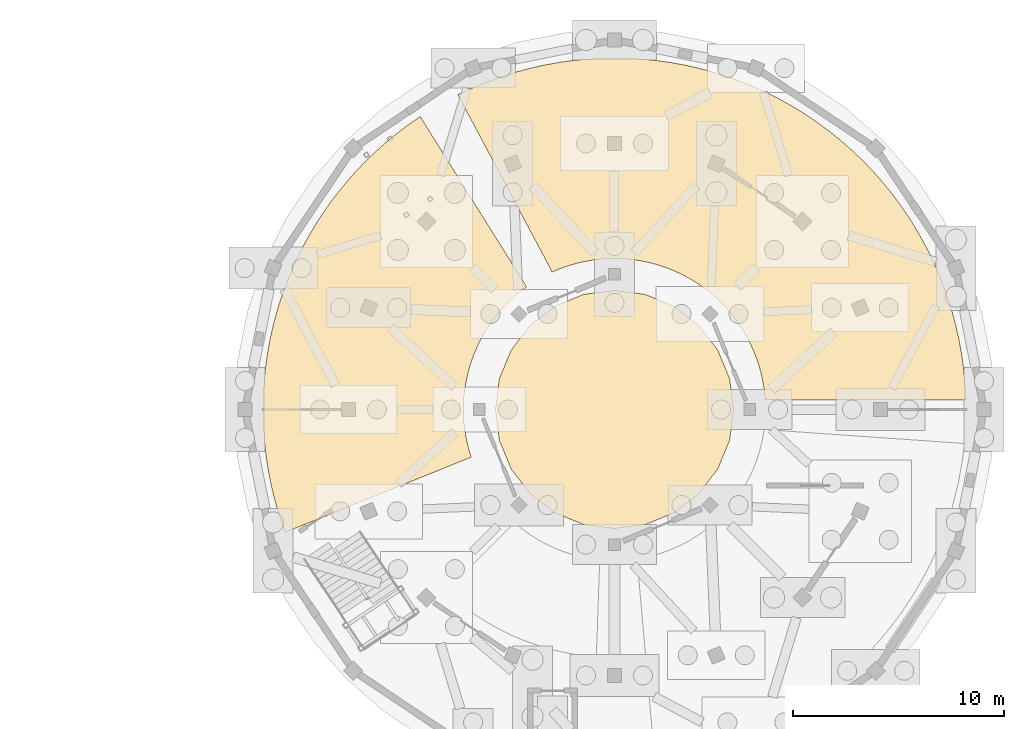
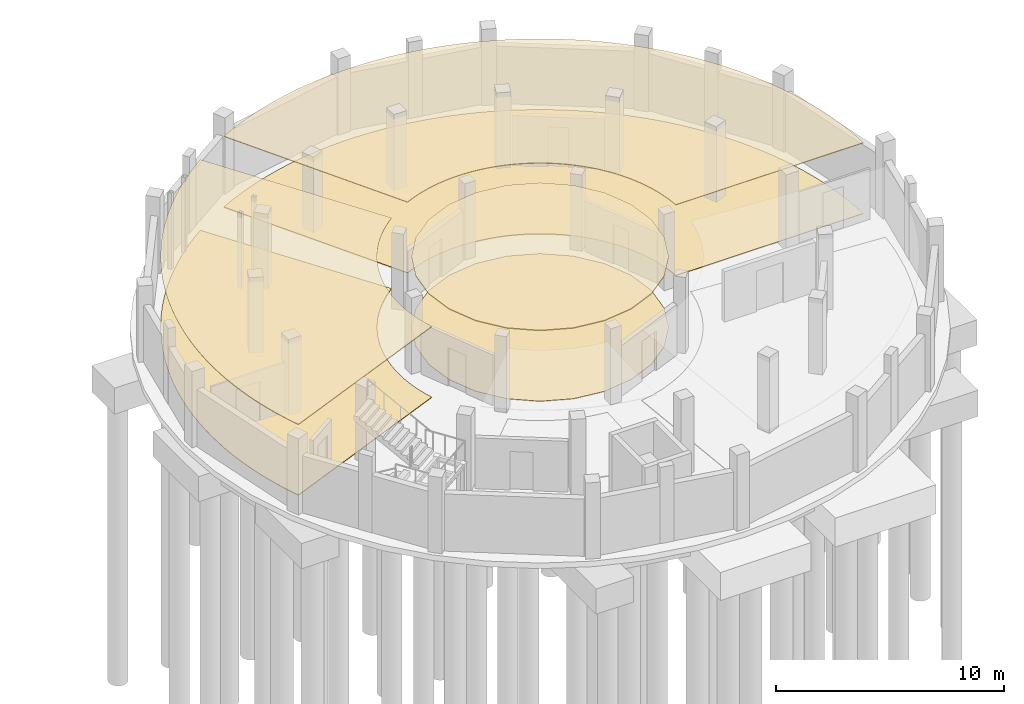
# One storey, part 57 of 58: 6 coverings.
"""IFC4 building model written with IfcOpenShell, lengths in metres."""

from ifc_helpers import new_model, si_unit, direction, frame, origin, place, context, subcontext, project, spatial, polyline, outline, extrude, material, layer, layer_set, type_object, element, save


model = new_model("IFC4")

# Units and contexts
model_context = context("Model", 3, precision=1e-05, world=origin(), true_north=direction((0.0, 1.0)))
body_context = subcontext(model_context, "Body", "Model", "MODEL_VIEW")
ifc_project = project(units=[si_unit("LENGTHUNIT", "METRE"), si_unit("AREAUNIT", "SQUARE_METRE"), si_unit("VOLUMEUNIT", "CUBIC_METRE"), si_unit("PLANEANGLEUNIT", "RADIAN"), si_unit("MASSUNIT", "GRAM", prefix="KILO")], contexts=[model_context])

# Site, building, storey
site_placement = place(None, origin())
site = spatial("IfcSite", under=ifc_project, at=site_placement, CompositionType="ELEMENT")
building_placement = place(site_placement, origin())
building = spatial("IfcBuilding", under=site, at=building_placement, Name="Caldaven Crescent School", CompositionType="ELEMENT")
storey_placement = place(building_placement, frame((0.0, 0.0, -4.080078125)))
storey = spatial("IfcBuildingStorey", under=building, at=storey_placement, Name="B1", CompositionType="ELEMENT", Elevation=-4.080078125)

# Coverings
ifc_material_1 = material(Name="Perforated Pino Radiata acoustic timber baffle ceiling", Category="wood")
ifc_layer_1 = layer(ifc_material_1, 0.0380859375)
ifc_layer_set_1 = layer_set([ifc_layer_1], Name="Perforated Pino Radiata acoustic timber baffle ceiling")
covering_type_1 = type_object("IfcCoveringType", Name="COV-CLG2", PredefinedType="CEILING", material=ifc_layer_set_1)
covering_1_placement = place(storey_placement, frame((0.0, 0.0, 3.781982421875)))
element("IfcCovering", 1, at=covering_1_placement, inside=storey, type_object=covering_type_1, Name="CLG-B1-001", PredefinedType="CEILING", context=body_context, shape_type="SweptSolid", body=[
    extrude(outline(polyline([(145.084228515625, 113.4052734375), (145.201171875, 113.46484375), (145.727783203125, 113.71044921875), (146.2626953125, 113.9375), (146.805419921875, 114.145751953125), (147.35498046875, 114.335205078125), (147.91064453125, 114.5048828125), (148.471923828125, 114.655517578125), (149.038330078125, 114.7861328125), (149.60888671875, 114.89697265625), (150.1826171875, 114.98779296875), (150.759521484375, 115.05859375), (151.338623046875, 115.109375), (151.9189453125, 115.139892578125), (152.5, 115.14990234375), (153.0810546875, 115.139892578125), (153.661376953125, 115.109375), (154.240478515625, 115.05859375), (154.8173828125, 114.98779296875), (155.39111328125, 114.89697265625), (155.961669921875, 114.7861328125), (156.528076171875, 114.655517578125), (157.08935546875, 114.5048828125), (157.64501953125, 114.335205078125), (158.194580078125, 114.145751953125), (158.7373046875, 113.9375), (159.272216796875, 113.71044921875), (159.798828125, 113.46484375), (160.316650390625, 113.200927734375), (160.824951171875, 112.919189453125), (161.322998046875, 112.619873046875), (161.810546875, 112.303466796875), (162.28662109375, 111.97021484375), (162.750732421875, 111.620361328125), (163.202392578125, 111.254638671875), (163.640869140625, 110.873291015625), (164.066162109375, 110.476806640625), (164.476806640625, 110.066162109375), (164.873291015625, 109.640869140625), (165.254638671875, 109.202392578125), (165.620361328125, 108.750732421875), (165.97021484375, 108.28662109375), (166.303466796875, 107.810546875), (166.619873046875, 107.322998046875), (166.919189453125, 106.824951171875), (167.200927734375, 106.316650390625), (167.46484375, 105.798828125), (167.71044921875, 105.272216796875), (167.9375, 104.7373046875), (168.145751953125, 104.194580078125), (168.335205078125, 103.64501953125), (168.5048828125, 103.08935546875), (168.655517578125, 102.528076171875), (168.7861328125, 101.961669921875), (168.89697265625, 101.39111328125), (168.98779296875, 100.8173828125), (169.05859375, 100.240478515625), (169.109375, 99.661376953125), (169.139892578125, 99.0810546875), (169.14208984375, 98.949951171875), (159.63525390625, 98.949951171875), (159.633056640625, 98.990966796875), (159.632080078125, 99.006591796875), (159.611572265625, 99.239501953125), (159.60986328125, 99.255126953125), (159.581298828125, 99.4873046875), (159.579345703125, 99.5029296875), (159.542724609375, 99.73388671875), (159.539794921875, 99.749267578125), (159.495361328125, 99.978759765625), (159.4921875, 99.994140625), (159.439453125, 100.22216796875), (159.435791015625, 100.2373046875), (159.375244140625, 100.463134765625), (159.370849609375, 100.478515625), (159.302490234375, 100.701904296875), (159.297607421875, 100.717041015625), (159.22119140625, 100.93798828125), (159.216064453125, 100.95263671875), (159.132080078125, 101.171142578125), (159.12646484375, 101.185791015625), (159.03515625, 101.40087890625), (159.028564453125, 101.415283203125), (158.9296875, 101.627197265625), (158.9228515625, 101.641357421875), (158.816650390625, 101.849853515625), (158.809326171875, 101.863525390625), (158.696044921875, 102.068115234375), (158.68798828125, 102.081787109375), (158.567626953125, 102.2822265625), (158.559326171875, 102.29541015625), (158.431884765625, 102.49169921875), (158.423095703125, 102.5048828125), (158.2890625, 102.6962890625), (158.27978515625, 102.708984375), (158.13916015625, 102.895751953125), (158.12939453125, 102.908203125), (157.982177734375, 103.08984375), (157.97216796875, 103.101806640625), (157.818603515625, 103.2783203125), (157.80810546875, 103.2900390625), (157.648681640625, 103.461181640625), (157.6376953125, 103.472412109375), (157.472412109375, 103.6376953125), (157.461181640625, 103.648681640625), (157.2900390625, 103.80810546875), (157.2783203125, 103.818603515625), (157.101806640625, 103.97216796875), (157.08984375, 103.982177734375), (156.908203125, 104.12939453125), (156.895751953125, 104.13916015625), (156.708984375, 104.27978515625), (156.6962890625, 104.2890625), (156.5048828125, 104.423095703125), (156.49169921875, 104.431884765625), (156.29541015625, 104.559326171875), (156.2822265625, 104.567626953125), (156.081787109375, 104.68798828125), (156.068115234375, 104.696044921875), (155.863525390625, 104.809326171875), (155.849853515625, 104.816650390625), (155.641357421875, 104.9228515625), (155.627197265625, 104.9296875), (155.415283203125, 105.028564453125), (155.40087890625, 105.03515625), (155.185791015625, 105.12646484375), (155.171142578125, 105.132080078125), (154.95263671875, 105.216064453125), (154.93798828125, 105.22119140625), (154.717041015625, 105.297607421875), (154.701904296875, 105.302490234375), (154.478515625, 105.370849609375), (154.463134765625, 105.375244140625), (154.2373046875, 105.435791015625), (154.22216796875, 105.439453125), (153.994140625, 105.4921875), (153.978759765625, 105.495361328125), (153.749267578125, 105.539794921875), (153.73388671875, 105.542724609375), (153.5029296875, 105.579345703125), (153.4873046875, 105.581298828125), (153.255126953125, 105.60986328125), (153.239501953125, 105.611572265625), (153.006591796875, 105.632080078125), (152.990966796875, 105.633056640625), (152.75732421875, 105.645263671875), (152.74169921875, 105.645751953125), (152.5078125, 105.64990234375), (152.4921875, 105.64990234375), (152.25830078125, 105.645751953125), (152.24267578125, 105.645263671875), (152.009033203125, 105.633056640625), (151.993408203125, 105.632080078125), (151.760498046875, 105.611572265625), (151.744873046875, 105.60986328125), (151.5126953125, 105.581298828125), (151.4970703125, 105.579345703125), (151.26611328125, 105.542724609375), (151.250732421875, 105.539794921875), (151.021240234375, 105.495361328125), (151.005859375, 105.4921875), (150.77783203125, 105.439453125), (150.7626953125, 105.435791015625), (150.536865234375, 105.375244140625), (150.521484375, 105.370849609375), (150.298095703125, 105.302490234375), (150.282958984375, 105.297607421875), (150.06201171875, 105.22119140625), (150.04736328125, 105.216064453125), (149.828857421875, 105.132080078125), (149.814208984375, 105.12646484375), (149.59912109375, 105.03515625), (149.584716796875, 105.028564453125), (149.547607421875, 105.01123046875), (145.084228515625, 113.4052734375)])), origin(), (0.0, 0.0, 1.0), 0.0380859375),
])
ifc_layer_2 = layer(ifc_material_1, 0.0458984375)
ifc_layer_set_2 = layer_set([ifc_layer_2], Name="Perforated Pino Radiata acoustic timber baffle ceiling")
covering_type_2 = type_object("IfcCoveringType", Name="COV-CLG3", PredefinedType="CEILING", material=ifc_layer_set_2)
covering_2_placement = place(storey_placement, frame((0.0, 0.0, 3.774169921875)))
element("IfcCovering", 2, at=covering_2_placement, inside=storey, type_object=covering_type_2, Name="CLG-B1-002", PredefinedType="CEILING", context=body_context, shape_type="SweptSolid", body=[
    extrude(outline(polyline([(136.901123046875, 92.68310546875), (136.854248046875, 92.805419921875), (136.664794921875, 93.35498046875), (136.4951171875, 93.91064453125), (136.344482421875, 94.471923828125), (136.2138671875, 95.038330078125), (136.10302734375, 95.60888671875), (136.01220703125, 96.1826171875), (135.94140625, 96.759521484375), (135.890625, 97.338623046875), (135.860107421875, 97.9189453125), (135.85009765625, 98.5), (135.860107421875, 99.0810546875), (135.890625, 99.661376953125), (135.94140625, 100.240478515625), (136.01220703125, 100.8173828125), (136.10302734375, 101.39111328125), (136.2138671875, 101.961669921875), (136.344482421875, 102.528076171875), (136.4951171875, 103.08935546875), (136.664794921875, 103.64501953125), (136.854248046875, 104.194580078125), (137.0625, 104.7373046875), (137.28955078125, 105.272216796875), (137.53515625, 105.798828125), (137.799072265625, 106.316650390625), (138.080810546875, 106.824951171875), (138.380126953125, 107.322998046875), (138.696533203125, 107.810546875), (139.02978515625, 108.28662109375), (139.379638671875, 108.750732421875), (139.745361328125, 109.202392578125), (140.126708984375, 109.640869140625), (140.523193359375, 110.066162109375), (140.933837890625, 110.476806640625), (141.359130859375, 110.873291015625), (141.797607421875, 111.254638671875), (142.249267578125, 111.620361328125), (142.71337890625, 111.97021484375), (143.189453125, 112.303466796875), (143.29931640625, 112.374755859375), (148.337158203125, 104.3125), (148.3037109375, 104.2890625), (148.291015625, 104.27978515625), (148.104248046875, 104.13916015625), (148.091796875, 104.12939453125), (147.91015625, 103.982177734375), (147.898193359375, 103.97216796875), (147.7216796875, 103.818603515625), (147.7099609375, 103.80810546875), (147.538818359375, 103.648681640625), (147.527587890625, 103.6376953125), (147.3623046875, 103.472412109375), (147.351318359375, 103.461181640625), (147.19189453125, 103.2900390625), (147.181396484375, 103.2783203125), (147.02783203125, 103.101806640625), (147.017822265625, 103.08984375), (146.87060546875, 102.908203125), (146.86083984375, 102.895751953125), (146.72021484375, 102.708984375), (146.7109375, 102.6962890625), (146.576904296875, 102.5048828125), (146.568115234375, 102.49169921875), (146.440673828125, 102.29541015625), (146.432373046875, 102.2822265625), (146.31201171875, 102.081787109375), (146.303955078125, 102.068115234375), (146.190673828125, 101.863525390625), (146.183349609375, 101.849853515625), (146.0771484375, 101.641357421875), (146.0703125, 101.627197265625), (145.971435546875, 101.415283203125), (145.96484375, 101.40087890625), (145.87353515625, 101.185791015625), (145.867919921875, 101.171142578125), (145.783935546875, 100.95263671875), (145.77880859375, 100.93798828125), (145.702392578125, 100.717041015625), (145.697509765625, 100.701904296875), (145.629150390625, 100.478515625), (145.624755859375, 100.463134765625), (145.564208984375, 100.2373046875), (145.560546875, 100.22216796875), (145.5078125, 99.994140625), (145.504638671875, 99.978759765625), (145.460205078125, 99.749267578125), (145.457275390625, 99.73388671875), (145.420654296875, 99.5029296875), (145.418701171875, 99.4873046875), (145.39013671875, 99.255126953125), (145.388427734375, 99.239501953125), (145.367919921875, 99.006591796875), (145.366943359375, 98.990966796875), (145.354736328125, 98.75732421875), (145.354248046875, 98.74169921875), (145.35009765625, 98.5078125), (145.35009765625, 98.4921875), (145.354248046875, 98.25830078125), (145.354736328125, 98.24267578125), (145.366943359375, 98.009033203125), (145.367919921875, 97.993408203125), (145.388427734375, 97.760498046875), (145.39013671875, 97.744873046875), (145.418701171875, 97.5126953125), (145.420654296875, 97.4970703125), (145.457275390625, 97.26611328125), (145.460205078125, 97.250732421875), (145.504638671875, 97.021240234375), (145.5078125, 97.005859375), (145.560546875, 96.77783203125), (145.564208984375, 96.7626953125), (145.624755859375, 96.536865234375), (145.629150390625, 96.521484375), (145.697509765625, 96.298095703125), (145.702392578125, 96.282958984375), (145.7158203125, 96.244384765625), (136.901123046875, 92.68310546875)])), origin(), (0.0, 0.0, 1.0), 0.0458984375),
])
ifc_layer_3 = layer(ifc_material_1, 0.053955078125)
ifc_layer_set_3 = layer_set([ifc_layer_3], Name="Perforated Pino Radiata acoustic timber baffle ceiling")
covering_type_3 = type_object("IfcCoveringType", Name="COV-CLG4", PredefinedType="CEILING", material=ifc_layer_set_3)
covering_3_placement = place(storey_placement, frame((0.0, 0.0, 3.76611328125)))
element("IfcCovering", 3, at=covering_3_placement, inside=storey, type_object=covering_type_3, Name="CLG-B1-003", PredefinedType="CEILING", context=body_context, shape_type="SweptSolid", body=[
    extrude(outline(polyline([(157.3896484375, 95.677001953125), (156.492431640625, 94.507568359375), (155.322998046875, 93.6103515625), (153.961181640625, 93.04638671875), (152.5, 92.85400390625), (151.038818359375, 93.04638671875), (149.677001953125, 93.6103515625), (148.507568359375, 94.507568359375), (147.6103515625, 95.677001953125), (147.04638671875, 97.038818359375), (146.85400390625, 98.5), (147.04638671875, 99.961181640625), (147.6103515625, 101.322998046875), (148.507568359375, 102.492431640625), (149.677001953125, 103.3896484375), (151.038818359375, 103.95361328125), (152.5, 104.14599609375), (153.961181640625, 103.95361328125), (155.322998046875, 103.3896484375), (156.492431640625, 102.492431640625), (157.3896484375, 101.322998046875), (157.95361328125, 99.961181640625), (158.14599609375, 98.5), (157.95361328125, 97.038818359375), (157.3896484375, 95.677001953125)])), origin(), (0.0, 0.0, 1.0), 0.053955078125),
])
ifc_material_2 = material(Name="Polished terrazzo and acoustic linoleum flooring")
ifc_layer_4 = layer(ifc_material_2, 0.02001953125)
ifc_layer_set_4 = layer_set([ifc_layer_4], Name="Polished terrazzo and acoustic linoleum flooring")
covering_type_4 = type_object("IfcCoveringType", Name="COV-FLR1", PredefinedType="FLOORING", material=ifc_layer_set_4)
covering_4_placement = place(storey_placement, origin())
element("IfcCovering", 4, at=covering_4_placement, inside=storey, type_object=covering_type_4, Name="FLR-B1-003", PredefinedType="FLOORING", context=body_context, shape_type="SweptSolid", body=[
    extrude(outline(polyline([(157.95361328125, 97.038818359375), (157.3896484375, 95.677001953125), (156.492431640625, 94.507568359375), (155.322998046875, 93.6103515625), (153.961181640625, 93.04638671875), (152.5, 92.85400390625), (151.038818359375, 93.04638671875), (149.677001953125, 93.6103515625), (148.507568359375, 94.507568359375), (147.6103515625, 95.677001953125), (147.04638671875, 97.038818359375), (146.85400390625, 98.5), (147.04638671875, 99.961181640625), (147.6103515625, 101.322998046875), (148.507568359375, 102.492431640625), (149.677001953125, 103.3896484375), (151.038818359375, 103.95361328125), (152.5, 104.14599609375), (153.961181640625, 103.95361328125), (155.322998046875, 103.3896484375), (156.492431640625, 102.492431640625), (157.3896484375, 101.322998046875), (157.95361328125, 99.961181640625), (158.14599609375, 98.5), (157.95361328125, 97.038818359375)])), origin(), (0.0, 0.0, 1.0), 0.02001953125),
])
ifc_layer_5 = layer(ifc_material_2, 0.02587890625)
ifc_layer_set_5 = layer_set([ifc_layer_5], Name="Polished terrazzo and acoustic linoleum flooring")
covering_type_5 = type_object("IfcCoveringType", Name="COV-FLR2", PredefinedType="FLOORING", material=ifc_layer_set_5)
covering_5_placement = place(storey_placement, origin())
element("IfcCovering", 5, at=covering_5_placement, inside=storey, type_object=covering_type_5, Name="FLR-B1-001", PredefinedType="FLOORING", context=body_context, shape_type="SweptSolid", body=[
    extrude(outline(polyline([(149.547607421875, 105.01123046875), (145.084228515625, 113.4052734375), (145.201171875, 113.46484375), (145.727783203125, 113.71044921875), (146.2626953125, 113.9375), (146.805419921875, 114.145751953125), (147.35498046875, 114.335205078125), (147.91064453125, 114.5048828125), (148.471923828125, 114.655517578125), (149.038330078125, 114.7861328125), (149.60888671875, 114.89697265625), (150.1826171875, 114.98779296875), (150.759521484375, 115.05859375), (151.338623046875, 115.109375), (151.9189453125, 115.139892578125), (152.5, 115.14990234375), (153.0810546875, 115.139892578125), (153.661376953125, 115.109375), (154.240478515625, 115.05859375), (154.8173828125, 114.98779296875), (155.39111328125, 114.89697265625), (155.961669921875, 114.7861328125), (156.528076171875, 114.655517578125), (157.08935546875, 114.5048828125), (157.64501953125, 114.335205078125), (158.194580078125, 114.145751953125), (158.7373046875, 113.9375), (159.272216796875, 113.71044921875), (159.798828125, 113.46484375), (160.316650390625, 113.200927734375), (160.824951171875, 112.919189453125), (161.322998046875, 112.619873046875), (161.810546875, 112.303466796875), (162.28662109375, 111.97021484375), (162.750732421875, 111.620361328125), (163.202392578125, 111.254638671875), (163.640869140625, 110.873291015625), (164.066162109375, 110.476806640625), (164.476806640625, 110.066162109375), (164.873291015625, 109.640869140625), (165.254638671875, 109.202392578125), (165.620361328125, 108.750732421875), (165.97021484375, 108.28662109375), (166.303466796875, 107.810546875), (166.619873046875, 107.322998046875), (166.919189453125, 106.824951171875), (167.200927734375, 106.316650390625), (167.46484375, 105.798828125), (167.71044921875, 105.272216796875), (167.9375, 104.7373046875), (168.145751953125, 104.194580078125), (168.335205078125, 103.64501953125), (168.5048828125, 103.08935546875), (168.655517578125, 102.528076171875), (168.7861328125, 101.961669921875), (168.89697265625, 101.39111328125), (168.98779296875, 100.8173828125), (169.05859375, 100.240478515625), (169.109375, 99.661376953125), (169.139892578125, 99.0810546875), (169.14208984375, 98.949951171875), (159.63525390625, 98.949951171875), (159.633056640625, 98.990966796875), (159.632080078125, 99.006591796875), (159.611572265625, 99.239501953125), (159.60986328125, 99.255126953125), (159.581298828125, 99.4873046875), (159.579345703125, 99.5029296875), (159.542724609375, 99.73388671875), (159.539794921875, 99.749267578125), (159.495361328125, 99.978759765625), (159.4921875, 99.994140625), (159.439453125, 100.22216796875), (159.435791015625, 100.2373046875), (159.375244140625, 100.463134765625), (159.370849609375, 100.478515625), (159.302490234375, 100.701904296875), (159.297607421875, 100.717041015625), (159.22119140625, 100.93798828125), (159.216064453125, 100.95263671875), (159.132080078125, 101.171142578125), (159.12646484375, 101.185791015625), (159.03515625, 101.40087890625), (159.028564453125, 101.415283203125), (158.9296875, 101.627197265625), (158.9228515625, 101.641357421875), (158.816650390625, 101.849853515625), (158.809326171875, 101.863525390625), (158.696044921875, 102.068115234375), (158.68798828125, 102.081787109375), (158.567626953125, 102.2822265625), (158.559326171875, 102.29541015625), (158.431884765625, 102.49169921875), (158.423095703125, 102.5048828125), (158.2890625, 102.6962890625), (158.27978515625, 102.708984375), (158.13916015625, 102.895751953125), (158.12939453125, 102.908203125), (157.982177734375, 103.08984375), (157.97216796875, 103.101806640625), (157.818603515625, 103.2783203125), (157.80810546875, 103.2900390625), (157.648681640625, 103.461181640625), (157.6376953125, 103.472412109375), (157.472412109375, 103.6376953125), (157.461181640625, 103.648681640625), (157.2900390625, 103.80810546875), (157.2783203125, 103.818603515625), (157.101806640625, 103.97216796875), (157.08984375, 103.982177734375), (156.908203125, 104.12939453125), (156.895751953125, 104.13916015625), (156.708984375, 104.27978515625), (156.6962890625, 104.2890625), (156.5048828125, 104.423095703125), (156.49169921875, 104.431884765625), (156.29541015625, 104.559326171875), (156.2822265625, 104.567626953125), (156.081787109375, 104.68798828125), (156.068115234375, 104.696044921875), (155.863525390625, 104.809326171875), (155.849853515625, 104.816650390625), (155.641357421875, 104.9228515625), (155.627197265625, 104.9296875), (155.415283203125, 105.028564453125), (155.40087890625, 105.03515625), (155.185791015625, 105.12646484375), (155.171142578125, 105.132080078125), (154.95263671875, 105.216064453125), (154.93798828125, 105.22119140625), (154.717041015625, 105.297607421875), (154.701904296875, 105.302490234375), (154.478515625, 105.370849609375), (154.463134765625, 105.375244140625), (154.2373046875, 105.435791015625), (154.22216796875, 105.439453125), (153.994140625, 105.4921875), (153.978759765625, 105.495361328125), (153.749267578125, 105.539794921875), (153.73388671875, 105.542724609375), (153.5029296875, 105.579345703125), (153.4873046875, 105.581298828125), (153.255126953125, 105.60986328125), (153.239501953125, 105.611572265625), (153.006591796875, 105.632080078125), (152.990966796875, 105.633056640625), (152.75732421875, 105.645263671875), (152.74169921875, 105.645751953125), (152.5078125, 105.64990234375), (152.4921875, 105.64990234375), (152.25830078125, 105.645751953125), (152.24267578125, 105.645263671875), (152.009033203125, 105.633056640625), (151.993408203125, 105.632080078125), (151.760498046875, 105.611572265625), (151.744873046875, 105.60986328125), (151.5126953125, 105.581298828125), (151.4970703125, 105.579345703125), (151.26611328125, 105.542724609375), (151.250732421875, 105.539794921875), (151.021240234375, 105.495361328125), (151.005859375, 105.4921875), (150.77783203125, 105.439453125), (150.7626953125, 105.435791015625), (150.536865234375, 105.375244140625), (150.521484375, 105.370849609375), (150.298095703125, 105.302490234375), (150.282958984375, 105.297607421875), (150.06201171875, 105.22119140625), (150.04736328125, 105.216064453125), (149.828857421875, 105.132080078125), (149.814208984375, 105.12646484375), (149.59912109375, 105.03515625), (149.584716796875, 105.028564453125), (149.547607421875, 105.01123046875)])), origin(), (0.0, 0.0, 1.0), 0.026123046875),
])
ifc_layer_6 = layer(ifc_material_2, 0.031982421875)
ifc_layer_set_6 = layer_set([ifc_layer_6], Name="Polished terrazzo and acoustic linoleum flooring")
covering_type_6 = type_object("IfcCoveringType", Name="COV-FLR3", PredefinedType="FLOORING", material=ifc_layer_set_6)
covering_6_placement = place(storey_placement, origin())
element("IfcCovering", 6, at=covering_6_placement, inside=storey, type_object=covering_type_6, Name="FLR-B1-002", PredefinedType="FLOORING", context=body_context, shape_type="SweptSolid", body=[
    extrude(outline(polyline([(145.7158203125, 96.244384765625), (136.901123046875, 92.68310546875), (136.854248046875, 92.805419921875), (136.664794921875, 93.35498046875), (136.4951171875, 93.91064453125), (136.344482421875, 94.471923828125), (136.2138671875, 95.038330078125), (136.10302734375, 95.60888671875), (136.01220703125, 96.1826171875), (135.94140625, 96.759521484375), (135.890625, 97.338623046875), (135.860107421875, 97.9189453125), (135.85009765625, 98.5), (135.860107421875, 99.0810546875), (135.890625, 99.661376953125), (135.94140625, 100.240478515625), (136.01220703125, 100.8173828125), (136.10302734375, 101.39111328125), (136.2138671875, 101.961669921875), (136.344482421875, 102.528076171875), (136.4951171875, 103.08935546875), (136.664794921875, 103.64501953125), (136.854248046875, 104.194580078125), (137.0625, 104.7373046875), (137.28955078125, 105.272216796875), (137.53515625, 105.798828125), (137.799072265625, 106.316650390625), (138.080810546875, 106.824951171875), (138.380126953125, 107.322998046875), (138.696533203125, 107.810546875), (139.02978515625, 108.28662109375), (139.379638671875, 108.750732421875), (139.745361328125, 109.202392578125), (140.126708984375, 109.640869140625), (140.523193359375, 110.066162109375), (140.933837890625, 110.476806640625), (141.359130859375, 110.873291015625), (141.797607421875, 111.254638671875), (142.249267578125, 111.620361328125), (142.71337890625, 111.97021484375), (143.189453125, 112.303466796875), (143.29931640625, 112.374755859375), (148.337158203125, 104.3125), (148.3037109375, 104.2890625), (148.291015625, 104.27978515625), (148.104248046875, 104.13916015625), (148.091796875, 104.12939453125), (147.91015625, 103.982177734375), (147.898193359375, 103.97216796875), (147.7216796875, 103.818603515625), (147.7099609375, 103.80810546875), (147.538818359375, 103.648681640625), (147.527587890625, 103.6376953125), (147.3623046875, 103.472412109375), (147.351318359375, 103.461181640625), (147.19189453125, 103.2900390625), (147.181396484375, 103.2783203125), (147.02783203125, 103.101806640625), (147.017822265625, 103.08984375), (146.87060546875, 102.908203125), (146.86083984375, 102.895751953125), (146.72021484375, 102.708984375), (146.7109375, 102.6962890625), (146.576904296875, 102.5048828125), (146.568115234375, 102.49169921875), (146.440673828125, 102.29541015625), (146.432373046875, 102.2822265625), (146.31201171875, 102.081787109375), (146.303955078125, 102.068115234375), (146.190673828125, 101.863525390625), (146.183349609375, 101.849853515625), (146.0771484375, 101.641357421875), (146.0703125, 101.627197265625), (145.971435546875, 101.415283203125), (145.96484375, 101.40087890625), (145.87353515625, 101.185791015625), (145.867919921875, 101.171142578125), (145.783935546875, 100.95263671875), (145.77880859375, 100.93798828125), (145.702392578125, 100.717041015625), (145.697509765625, 100.701904296875), (145.629150390625, 100.478515625), (145.624755859375, 100.463134765625), (145.564208984375, 100.2373046875), (145.560546875, 100.22216796875), (145.5078125, 99.994140625), (145.504638671875, 99.978759765625), (145.460205078125, 99.749267578125), (145.457275390625, 99.73388671875), (145.420654296875, 99.5029296875), (145.418701171875, 99.4873046875), (145.39013671875, 99.255126953125), (145.388427734375, 99.239501953125), (145.367919921875, 99.006591796875), (145.366943359375, 98.990966796875), (145.354736328125, 98.75732421875), (145.354248046875, 98.74169921875), (145.35009765625, 98.5078125), (145.35009765625, 98.4921875), (145.354248046875, 98.25830078125), (145.354736328125, 98.24267578125), (145.366943359375, 98.009033203125), (145.367919921875, 97.993408203125), (145.388427734375, 97.760498046875), (145.39013671875, 97.744873046875), (145.418701171875, 97.5126953125), (145.420654296875, 97.4970703125), (145.457275390625, 97.26611328125), (145.460205078125, 97.250732421875), (145.504638671875, 97.021240234375), (145.5078125, 97.005859375), (145.560546875, 96.77783203125), (145.564208984375, 96.7626953125), (145.624755859375, 96.536865234375), (145.629150390625, 96.521484375), (145.697509765625, 96.298095703125), (145.702392578125, 96.282958984375), (145.7158203125, 96.244384765625)])), origin(), (0.0, 0.0, 1.0), 0.031982421875),
])

save(model, "model.ifc")
